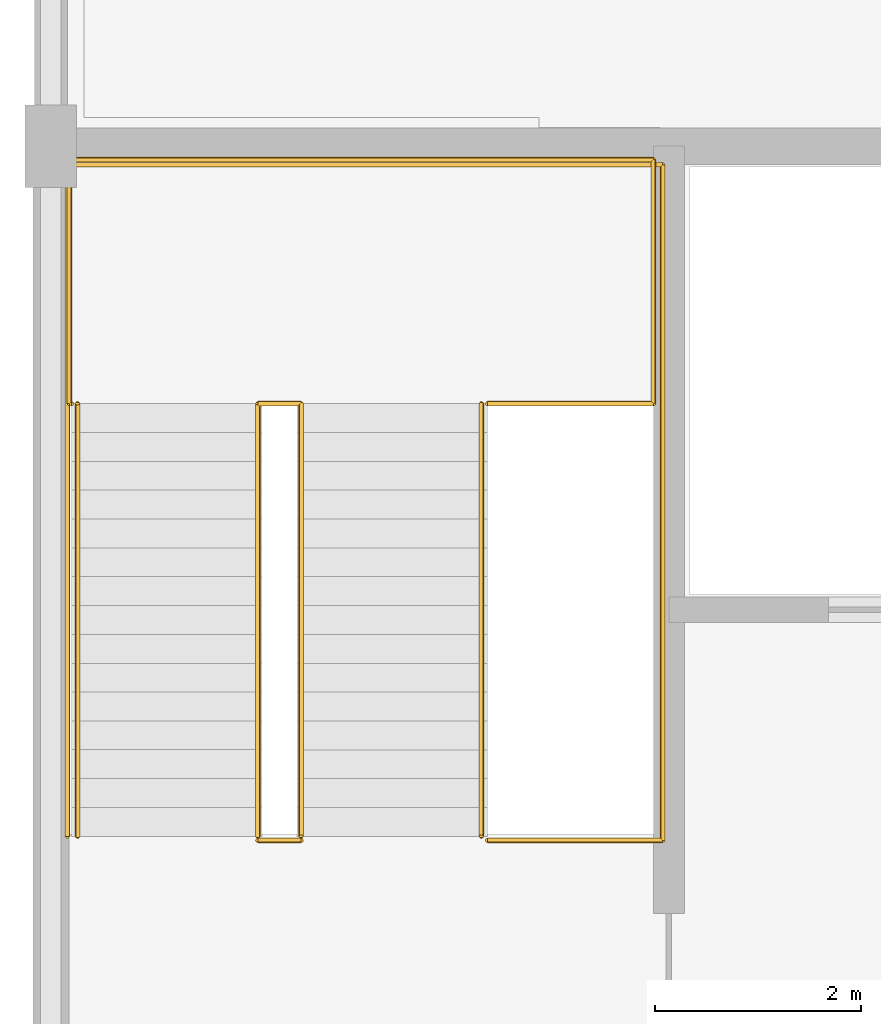
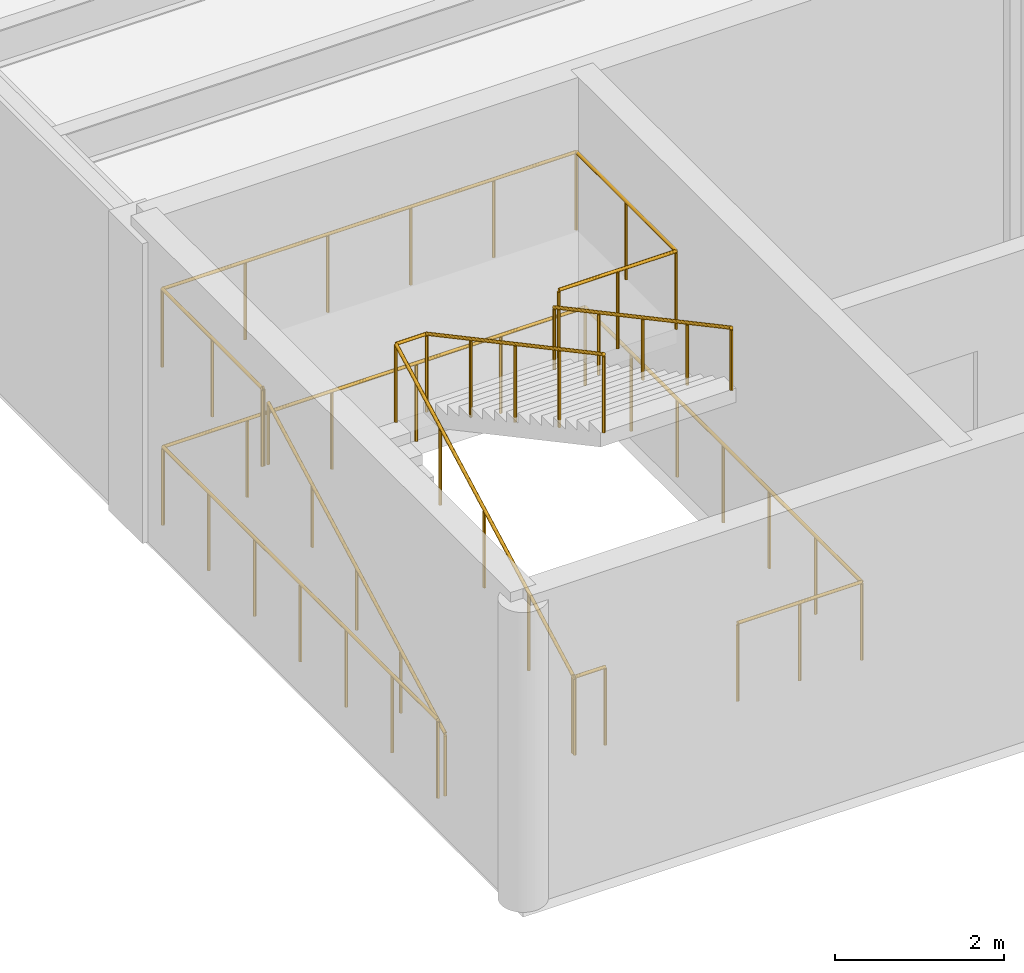
# One storey, part 13 of 16: 6 railings.
"""IFC4 building model written with IfcOpenShell, lengths in metres."""

import ifcopenshell
import ifcopenshell.guid

model = None  # the IFC model being written
_history = None  # IfcOwnerHistory: only IFC2X3 demands one
_inside = {}  # id of a spatial element -> (the spatial element, [elements in it])
_under = {}  # id of a project, library or spatial element -> (it, [spatial elements below it])
_declared = {}  # id of a project -> (the project, [libraries it declares])
_typed = {}  # id of a type object -> (the type object, [elements of that type])
_made_of = {}  # id of a material, layer set ... -> (it, [elements and type objects made of it])


def new_model(schema):
    """Start an empty IFC model of exactly this schema.

    Asked for "IFC4X3", IfcOpenShell would pick the latest addendum, in which some entities
    have other attributes; the version numbers below select the first issue.
    IFC2X3 requires an IfcOwnerHistory on every rooted entity: one is made here for all.
    """
    global model, _history
    if schema == "IFC4X3":
        model = ifcopenshell.file(schema_version=(4, 3, 0, 0))
    else:
        model = ifcopenshell.file(schema=schema)
    _inside.clear()
    _under.clear()
    _declared.clear()
    _typed.clear()
    _made_of.clear()
    _history = None
    if model.schema == "IFC2X3":
        org = make("IfcOrganization", Name="unknown")
        user = make(
            "IfcPersonAndOrganization",
            ThePerson=make("IfcPerson", FamilyName="unknown"),
            TheOrganization=org,
        )
        app = make(
            "IfcApplication",
            ApplicationDeveloper=org,
            Version="unknown",
            ApplicationFullName="unknown",
            ApplicationIdentifier="unknown",
        )
        _history = make(
            "IfcOwnerHistory",
            OwningUser=user,
            OwningApplication=app,
            ChangeAction="ADDED",
            CreationDate=0,
        )
    return model


def make(cls, **values):
    """One entity of the class cls with the attributes given. An attribute that is None is left unset."""
    return model.create_entity(
        cls, **{name: value for name, value in values.items() if value is not None}
    )


def rooted(cls, **values):
    """An entity with a GlobalId (a new one), such as an element, a storey or a relation."""
    return make(cls, GlobalId=ifcopenshell.guid.new(), OwnerHistory=_history, **values)


def si_unit(unit_type, name, prefix=None):
    """IfcSIUnit, for example si_unit("LENGTHUNIT", "METRE", prefix="MILLI")."""
    return make("IfcSIUnit", UnitType=unit_type, Prefix=prefix, Name=name)


def assignment(units):
    """IfcUnitAssignment: the units of a project."""
    return None if units is None else make("IfcUnitAssignment", Units=units)


def point(xyz):
    """IfcCartesianPoint."""
    return None if xyz is None else make("IfcCartesianPoint", Coordinates=xyz)


def direction(xyz):
    """IfcDirection."""
    return None if xyz is None else make("IfcDirection", DirectionRatios=xyz)


def frame(location, z_axis=None, x_axis=None):
    """IfcAxis2Placement3D, a coordinate frame: its origin and axes. An axis left out is left unset."""
    return make(
        "IfcAxis2Placement3D",
        Location=point(location),
        Axis=direction(z_axis),
        RefDirection=direction(x_axis),
    )


def frame_2d(location, x_axis=None):
    """IfcAxis2Placement2D, a coordinate frame in the plane: its origin and x axis."""
    return make(
        "IfcAxis2Placement2D", Location=point(location), RefDirection=direction(x_axis)
    )


def origin():
    """The frame at (0, 0, 0) with its axes left unset."""
    return frame((0.0, 0.0, 0.0))


def origin_2d():
    """The frame at (0, 0) in the plane with its x axis left unset."""
    return frame_2d((0.0, 0.0))


def place(relative_to, where):
    """IfcLocalPlacement: puts the frame where relative to a parent placement (None: the world)."""
    return make(
        "IfcLocalPlacement", PlacementRelTo=relative_to, RelativePlacement=where
    )


def context(
    kind, dimensions, precision=None, world=None, true_north=None, identifier=None
):
    """IfcGeometricRepresentationContext, for example the 3D "Model" context."""
    return make(
        "IfcGeometricRepresentationContext",
        ContextIdentifier=identifier,
        ContextType=kind,
        CoordinateSpaceDimension=dimensions,
        Precision=precision,
        WorldCoordinateSystem=world,
        TrueNorth=true_north,
    )


def subcontext(parent, identifier, kind, view, scale=None):
    """IfcGeometricRepresentationSubContext, for example "Body" below "Model"."""
    return make(
        "IfcGeometricRepresentationSubContext",
        ContextIdentifier=identifier,
        ContextType=kind,
        ParentContext=parent,
        TargetScale=scale,
        TargetView=view,
    )


def project(units=None, contexts=None):
    """IfcProject with its units and contexts."""
    return rooted(
        "IfcProject",
        Name="project",
        RepresentationContexts=contexts,
        UnitsInContext=assignment(units),
    )


def spatial(cls, under=None, at=None, **own):
    """A site, building, storey or space (cls), placed at a placement, below another one or the project."""
    s = rooted(cls, ObjectPlacement=at, **own)
    if under is not None:
        _under.setdefault(under.id(), (under, []))[1].append(s)
    return s


def profile(cls, at=None, kind="AREA", **sizes):
    """A parametric profile (cls). Its sizes go by their IFC names, for example OverallWidth=200.0."""
    return make(cls, ProfileType=kind, Position=at, **sizes)


def circle(**sizes):
    """IfcCircleProfileDef."""
    return profile("IfcCircleProfileDef", **sizes)


def extrude(swept, where, along, depth):
    """IfcExtrudedAreaSolid: the profile swept, set in the frame where, extruded along a direction by depth."""
    return make(
        "IfcExtrudedAreaSolid",
        SweptArea=swept,
        Position=where,
        ExtrudedDirection=direction(along),
        Depth=depth,
    )


def shape(context_of_items, identifier, shape_type, items):
    """IfcShapeRepresentation: the items that make up one representation, for example the "Body"."""
    return make(
        "IfcShapeRepresentation",
        ContextOfItems=context_of_items,
        RepresentationIdentifier=identifier,
        RepresentationType=shape_type,
        Items=items,
    )


def material(Name=None, Category=None):
    """IfcMaterial."""
    return make("IfcMaterial", Name=Name, Category=Category)


def made_of(thing, what):
    """Note that an element or type object is made of a material, layer set ...; save() writes the relation."""
    if what is not None:
        _made_of.setdefault(what.id(), (what, []))[1].append(thing)
    return thing


def type_object(cls, material=None, **own):
    """A type object (cls), such as IfcWallType, which elements share."""
    return made_of(rooted(cls, **own), material)


def element(
    cls,
    number,
    at=None,
    inside=None,
    cuts=None,
    type_object=None,
    material=None,
    context=None,
    identifier="Body",
    shape_type=None,
    held_by="IfcProductDefinitionShape",
    body=None,
    shapes=None,
    **own,
):
    """One element of the class cls, such as IfcWall. Its Tag is "e" and its number.

    at: its placement. inside: the storey or other place that contains it. cuts: it is an
    opening in that element (IfcRelVoidsElement). A single representation is given by context,
    identifier, shape_type and body (its items); several are given by shapes. held_by: the class
    of the entity that holds the representations. save() writes the other relations.
    """
    e = rooted(cls, Tag="e%d" % number, ObjectPlacement=at, **own)
    if body is not None:
        shapes = [shape(context, identifier, shape_type, body)]
    if shapes is not None:
        e.Representation = make(held_by, Representations=shapes)
    if inside is not None:
        _inside.setdefault(inside.id(), (inside, []))[1].append(e)
    if cuts is not None:
        rooted(
            "IfcRelVoidsElement", RelatingBuildingElement=cuts, RelatedOpeningElement=e
        )
    if type_object is not None:
        _typed.setdefault(type_object.id(), (type_object, []))[1].append(e)
    return made_of(e, material)


def aggregate(whole, parts):
    """IfcRelAggregates: a whole, such as a stair, and the parts it consists of."""
    return rooted("IfcRelAggregates", RelatingObject=whole, RelatedObjects=parts)


def save(model, path):
    """Write the relations noted so far, then the file.

    IfcRelAggregates (storeys below a building ...), IfcRelContainedInSpatialStructure (elements
    in a storey), IfcRelDefinesByType, IfcRelAssociatesMaterial and IfcRelDeclares: one each for
    every whole, place, type object, material and project.
    """
    for whole, parts in _under.values():
        aggregate(whole, parts)
    for where, things in _inside.values():
        rooted(
            "IfcRelContainedInSpatialStructure",
            RelatedElements=things,
            RelatingStructure=where,
        )
    for kind, things in _typed.values():
        rooted("IfcRelDefinesByType", RelatedObjects=things, RelatingType=kind)
    for what, things in _made_of.values():
        rooted("IfcRelAssociatesMaterial", RelatedObjects=things, RelatingMaterial=what)
    for by, libraries in _declared.values():
        rooted("IfcRelDeclares", RelatingContext=by, RelatedDefinitions=libraries)
    model.write(path)


model = new_model("IFC4")

# Units and contexts
model_context = context("Model", 3, precision=1e-05, world=origin(), true_north=direction((0.0, 1.0)))
body_context = subcontext(model_context, "Body", "Model", "MODEL_VIEW")
ifc_project = project(units=[si_unit("LENGTHUNIT", "METRE"), si_unit("AREAUNIT", "SQUARE_METRE"), si_unit("VOLUMEUNIT", "CUBIC_METRE"), si_unit("PLANEANGLEUNIT", "RADIAN"), si_unit("MASSUNIT", "GRAM", prefix="KILO")], contexts=[model_context])

# Site, building, storey
site_placement = place(None, origin())
site = spatial("IfcSite", under=ifc_project, at=site_placement, CompositionType="ELEMENT")
building_placement = place(site_placement, origin())
building = spatial("IfcBuilding", under=site, at=building_placement, Name="Keelwater Ferry Terminal", CompositionType="ELEMENT")
storey_placement = place(building_placement, frame((0.0, 0.0, 15.0)))
storey = spatial("IfcBuildingStorey", under=building, at=storey_placement, Name="L03", CompositionType="ELEMENT", Elevation=15.0)

# Railings
ifc_material_1 = material(Name="Painted Steel S355", Category="steel")
railing_type_1 = type_object("IfcRailingType", Name="GR-115 Stair Well Guardrail", PredefinedType="GUARDRAIL", material=ifc_material_1)
railing_1_placement = place(storey_placement, frame((110.010009765625, 92.260009765625, 0.0)))
element("IfcRailing", 1, at=railing_1_placement, inside=storey, type_object=railing_type_1, Name="Stair ST-C2-L02 Slot Threshold Guard 28", PredefinedType="GUARDRAIL", context=body_context, shape_type="SweptSolid", body=[
    extrude(circle(Radius=0.02392578125, at=origin_2d()), frame((0.0, 0.0, 1.1259765625), z_axis=(1.0, 0.0, 0.0), x_axis=(0.0, 1.0, 0.0)), (0.0, 0.0, 1.0), 0.419921875),
    extrude(circle(Radius=0.02099609375, at=origin_2d()), origin(), (0.0, 0.0, 1.0), 1.101806640625),
    extrude(circle(Radius=0.02099609375, at=origin_2d()), frame((0.419921875, 0.0, 0.0)), (0.0, 0.0, 1.0), 1.101806640625),
])
railing_2_placement = place(storey_placement, frame((108.159912109375, 92.300048828125, 0.0)))
element("IfcRailing", 2, at=railing_2_placement, inside=storey, type_object=railing_type_1, Name="Stair ST-C2-L02 Shaft Perimeter Guard 29", PredefinedType="GUARDRAIL", context=body_context, shape_type="SweptSolid", body=[
    extrude(circle(Radius=0.02392578125, at=origin_2d()), frame((0.0, 0.0, 1.1259765625), z_axis=(0.0, 1.0, 0.0), x_axis=(-1.0, 0.0, 0.0)), (0.0, 0.0, 1.0), 6.52001953125),
    extrude(circle(Radius=0.02392578125, at=origin_2d()), frame((0.0, 6.52001953125, 1.1259765625), z_axis=(1.0, 0.0, 0.0), x_axis=(0.0, 1.0, 0.0)), (0.0, 0.0, 1.0), 5.780029296875),
    extrude(circle(Radius=0.02392578125, at=origin_2d()), frame((5.780029296875, 6.52001953125, 1.1259765625), z_axis=(0.0, -1.0, 0.0), x_axis=(1.0, 0.0, 0.0)), (0.0, 0.0, 1.0), 6.56005859375),
    extrude(circle(Radius=0.02392578125, at=origin_2d()), frame((5.780029296875, -0.0400390625, 1.1259765625), z_axis=(-1.0, 0.0, 0.0), x_axis=(0.0, -1.0, 0.0)), (0.0, 0.0, 1.0), 1.699951171875),
    extrude(circle(Radius=0.02099609375, at=origin_2d()), origin(), (0.0, 0.0, 1.0), 1.101806640625),
    extrude(circle(Radius=0.02099609375, at=origin_2d()), frame((0.0, 1.086669921875, 0.0)), (0.0, 0.0, 1.0), 1.101806640625),
    extrude(circle(Radius=0.02099609375, at=origin_2d()), frame((0.0, 2.17333984375, 0.0)), (0.0, 0.0, 1.0), 1.101806640625),
    extrude(circle(Radius=0.02099609375, at=origin_2d()), frame((0.0, 3.260009765625, 0.0)), (0.0, 0.0, 1.0), 1.101806640625),
    extrude(circle(Radius=0.02099609375, at=origin_2d()), frame((0.0, 4.3466796875, 0.0)), (0.0, 0.0, 1.0), 1.101806640625),
    extrude(circle(Radius=0.02099609375, at=origin_2d()), frame((0.0, 5.433349609375, 0.0)), (0.0, 0.0, 1.0), 1.101806640625),
    extrude(circle(Radius=0.02099609375, at=origin_2d()), frame((0.0, 6.52001953125, 0.0)), (0.0, 0.0, 1.0), 1.101806640625),
    extrude(circle(Radius=0.02099609375, at=origin_2d()), frame((1.156005859375, 6.52001953125, 0.0)), (0.0, 0.0, 1.0), 1.101806640625),
    extrude(circle(Radius=0.02099609375, at=origin_2d()), frame((2.31201171875, 6.52001953125, 0.0)), (0.0, 0.0, 1.0), 1.101806640625),
    extrude(circle(Radius=0.02099609375, at=origin_2d()), frame((3.468017578125, 6.52001953125, 0.0)), (0.0, 0.0, 1.0), 1.101806640625),
    extrude(circle(Radius=0.02099609375, at=origin_2d()), frame((4.6240234375, 6.52001953125, 0.0)), (0.0, 0.0, 1.0), 1.101806640625),
    extrude(circle(Radius=0.02099609375, at=origin_2d()), frame((5.780029296875, 6.52001953125, 0.0)), (0.0, 0.0, 1.0), 1.101806640625),
    extrude(circle(Radius=0.02099609375, at=origin_2d()), frame((5.780029296875, 5.4267578125, 0.0)), (0.0, 0.0, 1.0), 1.101806640625),
    extrude(circle(Radius=0.02099609375, at=origin_2d()), frame((5.780029296875, 4.333251953125, 0.0)), (0.0, 0.0, 1.0), 1.101806640625),
    extrude(circle(Radius=0.02099609375, at=origin_2d()), frame((5.780029296875, 3.239990234375, 0.0)), (0.0, 0.0, 1.0), 1.101806640625),
    extrude(circle(Radius=0.02099609375, at=origin_2d()), frame((5.780029296875, 2.146728515625, 0.0)), (0.0, 0.0, 1.0), 1.101806640625),
    extrude(circle(Radius=0.02099609375, at=origin_2d()), frame((5.780029296875, 1.05322265625, 0.0)), (0.0, 0.0, 1.0), 1.101806640625),
    extrude(circle(Radius=0.02099609375, at=origin_2d()), frame((5.780029296875, -0.0400390625, 0.0)), (0.0, 0.0, 1.0), 1.101806640625),
    extrude(circle(Radius=0.02099609375, at=origin_2d()), frame((4.93017578125, -0.0400390625, 0.0)), (0.0, 0.0, 1.0), 1.101806640625),
    extrude(circle(Radius=0.02099609375, at=origin_2d()), frame((4.080078125, -0.0400390625, 0.0)), (0.0, 0.0, 1.0), 1.101806640625),
])
railing_3_placement = place(storey_placement, frame((110.010009765625, 92.300048828125, 0.0)))
element("IfcRailing", 3, at=railing_3_placement, inside=storey, type_object=railing_type_1, Name="Stair ST-C2-L03 Inner Well Guard 30", PredefinedType="GUARDRAIL", context=body_context, shape_type="SweptSolid", body=[
    extrude(circle(Radius=0.02392578125, at=origin_2d()), frame((0.0, 0.0, 1.1259765625), z_axis=(0.0, 0.881477684796, 0.472225678258), x_axis=(-1.0, 0.0, 0.0)), (0.0, 0.0, 1.0), 4.7646484375),
    extrude(circle(Radius=0.02392578125, at=origin_2d()), frame((0.0, 4.199951171875, 3.3759765625), z_axis=(1.0, 0.0, 0.0), x_axis=(0.0, 1.0, 0.0)), (0.0, 0.0, 1.0), 0.419921875),
    extrude(circle(Radius=0.02392578125, at=origin_2d()), frame((0.419921875, 4.199951171875, 3.3759765625), z_axis=(0.0, -0.881477684796, 0.472225678258), x_axis=(1.0, 0.0, 0.0)), (0.0, 0.0, 1.0), 4.7646484375),
    extrude(circle(Radius=0.02099609375, at=origin_2d()), origin(), (0.0, 0.0, 1.0), 1.101806640625),
    extrude(circle(Radius=0.02099609375, at=origin_2d()), frame((0.0, 1.050048828125, 0.5625)), (0.0, 0.0, 1.0), 1.101806640625),
    extrude(circle(Radius=0.02099609375, at=origin_2d()), frame((0.0, 2.10009765625, 1.125)), (0.0, 0.0, 1.0), 1.101806640625),
    extrude(circle(Radius=0.02099609375, at=origin_2d()), frame((0.0, 3.14990234375, 1.6875)), (0.0, 0.0, 1.0), 1.101806640625),
    extrude(circle(Radius=0.02099609375, at=origin_2d()), frame((0.0, 4.199951171875, 2.25)), (0.0, 0.0, 1.0), 1.101806640625),
    extrude(circle(Radius=0.02099609375, at=origin_2d()), frame((0.419921875, 4.199951171875, 2.25)), (0.0, 0.0, 1.0), 1.101806640625),
    extrude(circle(Radius=0.02099609375, at=origin_2d()), frame((0.419921875, 3.14990234375, 2.8125)), (0.0, 0.0, 1.0), 1.101806640625),
    extrude(circle(Radius=0.02099609375, at=origin_2d()), frame((0.419921875, 2.10009765625, 3.375)), (0.0, 0.0, 1.0), 1.101806640625),
    extrude(circle(Radius=0.02099609375, at=origin_2d()), frame((0.419921875, 1.050048828125, 3.9375)), (0.0, 0.0, 1.0), 1.101806640625),
    extrude(circle(Radius=0.02099609375, at=origin_2d()), frame((0.419921875, 0.0, 4.5)), (0.0, 0.0, 1.0), 1.101806640625),
])
railing_4_placement = place(storey_placement, frame((108.199951171875, 96.5, 2.25)))
element("IfcRailing", 4, at=railing_4_placement, inside=storey, type_object=railing_type_1, Name="Stair ST-C2-L03 Half-Landing Guard 31", PredefinedType="GUARDRAIL", context=body_context, shape_type="SweptSolid", body=[
    extrude(circle(Radius=0.02392578125, at=origin_2d()), frame((0.0, 0.0, 1.1259765625), z_axis=(-1.0, 0.0, 0.0), x_axis=(0.0, -1.0, 0.0)), (0.0, 0.0, 1.0), 0.02001953125),
    extrude(circle(Radius=0.02392578125, at=origin_2d()), frame((-0.02001953125, 0.0, 1.1259765625), z_axis=(0.0, 1.0, 0.0), x_axis=(-1.0, 0.0, 0.0)), (0.0, 0.0, 1.0), 2.3701171875),
    extrude(circle(Radius=0.02392578125, at=origin_2d()), frame((-0.02001953125, 2.3701171875, 1.1259765625), z_axis=(1.0, 0.0, 0.0), x_axis=(0.0, 1.0, 0.0)), (0.0, 0.0, 1.0), 5.670166015625),
    extrude(circle(Radius=0.02392578125, at=origin_2d()), frame((5.650146484375, 2.3701171875, 1.1259765625), z_axis=(0.0, -1.0, 0.0), x_axis=(1.0, 0.0, 0.0)), (0.0, 0.0, 1.0), 2.3701171875),
    extrude(circle(Radius=0.02392578125, at=origin_2d()), frame((5.650146484375, 0.0, 1.1259765625), z_axis=(-1.0, 0.0, 0.0), x_axis=(0.0, -1.0, 0.0)), (0.0, 0.0, 1.0), 1.610107421875),
    extrude(circle(Radius=0.02099609375, at=origin_2d()), origin(), (0.0, 0.0, 1.0), 1.101806640625),
    extrude(circle(Radius=0.02099609375, at=origin_2d()), frame((-0.02001953125, 0.0, 0.0)), (0.0, 0.0, 1.0), 1.101806640625),
    extrude(circle(Radius=0.02099609375, at=origin_2d()), frame((-0.02001953125, 1.18505859375, 0.0)), (0.0, 0.0, 1.0), 1.101806640625),
    extrude(circle(Radius=0.02099609375, at=origin_2d()), frame((-0.02001953125, 2.3701171875, 0.0)), (0.0, 0.0, 1.0), 1.101806640625),
    extrude(circle(Radius=0.02099609375, at=origin_2d()), frame((1.114013671875, 2.3701171875, 0.0)), (0.0, 0.0, 1.0), 1.101806640625),
    extrude(circle(Radius=0.02099609375, at=origin_2d()), frame((2.248046875, 2.3701171875, 0.0)), (0.0, 0.0, 1.0), 1.101806640625),
    extrude(circle(Radius=0.02099609375, at=origin_2d()), frame((3.382080078125, 2.3701171875, 0.0)), (0.0, 0.0, 1.0), 1.101806640625),
    extrude(circle(Radius=0.02099609375, at=origin_2d()), frame((4.51611328125, 2.3701171875, 0.0)), (0.0, 0.0, 1.0), 1.101806640625),
    extrude(circle(Radius=0.02099609375, at=origin_2d()), frame((5.650146484375, 2.3701171875, 0.0)), (0.0, 0.0, 1.0), 1.101806640625),
    extrude(circle(Radius=0.02099609375, at=origin_2d()), frame((5.650146484375, 1.18505859375, 0.0)), (0.0, 0.0, 1.0), 1.101806640625),
    extrude(circle(Radius=0.02099609375, at=origin_2d()), frame((5.650146484375, 0.0, 0.0)), (0.0, 0.0, 1.0), 1.101806640625),
    extrude(circle(Radius=0.02099609375, at=origin_2d()), frame((4.84521484375, 0.0, 0.0)), (0.0, 0.0, 1.0), 1.101806640625),
    extrude(circle(Radius=0.02099609375, at=origin_2d()), frame((4.0400390625, 0.0, 0.0)), (0.0, 0.0, 1.0), 1.101806640625),
])
ifc_material_2 = material(Name="Brushed stainless steel handrail", Category="steel")
railing_type_2 = type_object("IfcRailingType", Name="HR-920 Stair Pitch Handrail", PredefinedType="HANDRAIL", material=ifc_material_2)
railing_5_placement = place(storey_placement, frame((108.260009765625, 92.300048828125, 0.0)))
element("IfcRailing", 5, at=railing_5_placement, inside=storey, type_object=railing_type_2, Name="Stair ST-C2-L03 Flight 1 Handrail 32", PredefinedType="HANDRAIL", context=body_context, shape_type="SweptSolid", body=[
    extrude(circle(Radius=0.02392578125, at=origin_2d()), frame((0.0, 0.0, 0.89599609375), z_axis=(0.0, 0.881477684796, 0.472225678258), x_axis=(-1.0, 0.0, 0.0)), (0.0, 0.0, 1.0), 4.7646484375),
    extrude(circle(Radius=0.02099609375, at=origin_2d()), origin(), (0.0, 0.0, 1.0), 0.871826171875),
    extrude(circle(Radius=0.02099609375, at=origin_2d()), frame((0.0, 1.050048828125, 0.5625)), (0.0, 0.0, 1.0), 0.871826171875),
    extrude(circle(Radius=0.02099609375, at=origin_2d()), frame((0.0, 2.10009765625, 1.125)), (0.0, 0.0, 1.0), 0.871826171875),
    extrude(circle(Radius=0.02099609375, at=origin_2d()), frame((0.0, 3.14990234375, 1.6875)), (0.0, 0.0, 1.0), 0.871826171875),
    extrude(circle(Radius=0.02099609375, at=origin_2d()), frame((0.0, 4.199951171875, 2.25)), (0.0, 0.0, 1.0), 0.871826171875),
])
railing_6_placement = place(storey_placement, frame((112.179931640625, 96.5, 2.25)))
element("IfcRailing", 6, at=railing_6_placement, inside=storey, type_object=railing_type_2, Name="Stair ST-C2-L03 Flight 2 Handrail 33", PredefinedType="HANDRAIL", context=body_context, shape_type="SweptSolid", body=[
    extrude(circle(Radius=0.02392578125, at=origin_2d()), frame((0.0, 0.0, 0.89599609375), z_axis=(0.0, -0.881477684796, 0.472225678258), x_axis=(1.0, 0.0, 0.0)), (0.0, 0.0, 1.0), 4.7646484375),
    extrude(circle(Radius=0.02099609375, at=origin_2d()), origin(), (0.0, 0.0, 1.0), 0.871826171875),
    extrude(circle(Radius=0.02099609375, at=origin_2d()), frame((0.0, -1.050048828125, 0.5625)), (0.0, 0.0, 1.0), 0.871826171875),
    extrude(circle(Radius=0.02099609375, at=origin_2d()), frame((0.0, -2.10009765625, 1.125)), (0.0, 0.0, 1.0), 0.871826171875),
    extrude(circle(Radius=0.02099609375, at=origin_2d()), frame((0.0, -3.14990234375, 1.6875)), (0.0, 0.0, 1.0), 0.871826171875),
    extrude(circle(Radius=0.02099609375, at=origin_2d()), frame((0.0, -4.199951171875, 2.25)), (0.0, 0.0, 1.0), 0.871826171875),
])

save(model, "model.ifc")
